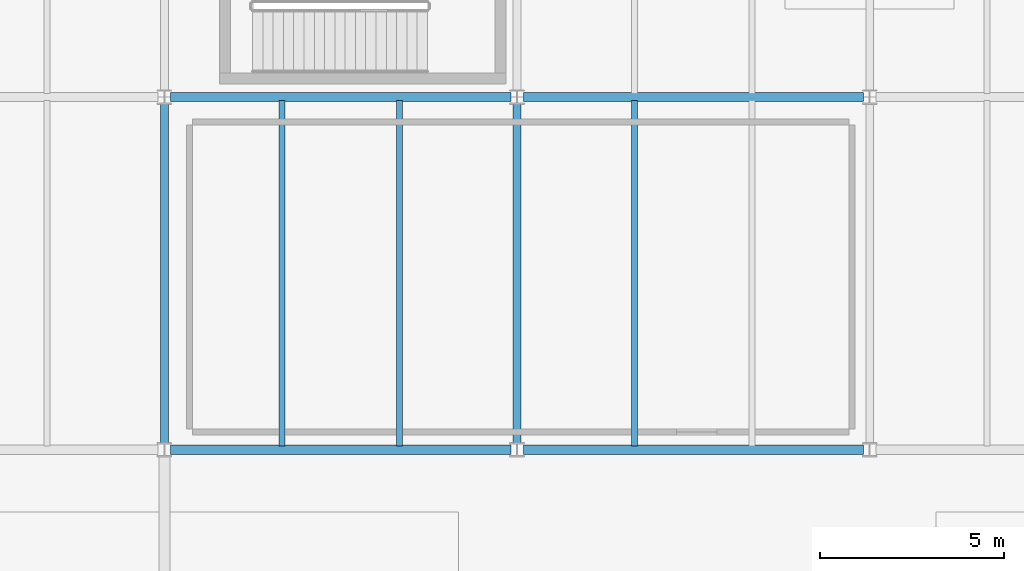
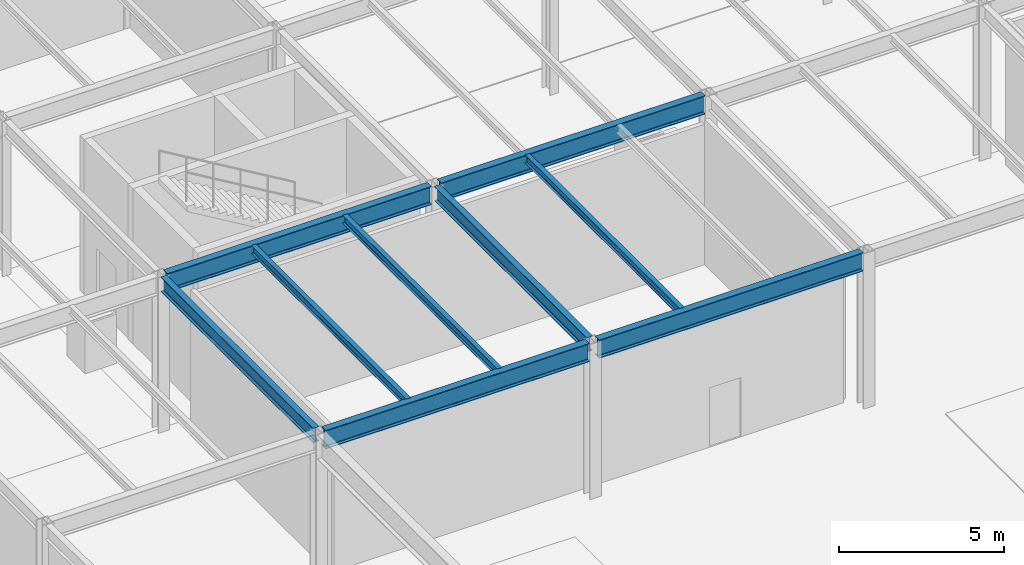
# One storey, part 71 of 142: 9 beams.
"""IFC4 building model written with IfcOpenShell, lengths in metres."""

import ifcopenshell
import ifcopenshell.guid

model = None  # the IFC model being written
_history = None  # IfcOwnerHistory: only IFC2X3 demands one
_inside = {}  # id of a spatial element -> (the spatial element, [elements in it])
_under = {}  # id of a project, library or spatial element -> (it, [spatial elements below it])
_declared = {}  # id of a project -> (the project, [libraries it declares])
_typed = {}  # id of a type object -> (the type object, [elements of that type])
_made_of = {}  # id of a material, layer set ... -> (it, [elements and type objects made of it])


def new_model(schema):
    """Start an empty IFC model of exactly this schema.

    Asked for "IFC4X3", IfcOpenShell would pick the latest addendum, in which some entities
    have other attributes; the version numbers below select the first issue.
    IFC2X3 requires an IfcOwnerHistory on every rooted entity: one is made here for all.
    """
    global model, _history
    if schema == "IFC4X3":
        model = ifcopenshell.file(schema_version=(4, 3, 0, 0))
    else:
        model = ifcopenshell.file(schema=schema)
    _inside.clear()
    _under.clear()
    _declared.clear()
    _typed.clear()
    _made_of.clear()
    _history = None
    if model.schema == "IFC2X3":
        org = make("IfcOrganization", Name="unknown")
        user = make(
            "IfcPersonAndOrganization",
            ThePerson=make("IfcPerson", FamilyName="unknown"),
            TheOrganization=org,
        )
        app = make(
            "IfcApplication",
            ApplicationDeveloper=org,
            Version="unknown",
            ApplicationFullName="unknown",
            ApplicationIdentifier="unknown",
        )
        _history = make(
            "IfcOwnerHistory",
            OwningUser=user,
            OwningApplication=app,
            ChangeAction="ADDED",
            CreationDate=0,
        )
    return model


def make(cls, **values):
    """One entity of the class cls with the attributes given. An attribute that is None is left unset."""
    return model.create_entity(
        cls, **{name: value for name, value in values.items() if value is not None}
    )


def rooted(cls, **values):
    """An entity with a GlobalId (a new one), such as an element, a storey or a relation."""
    return make(cls, GlobalId=ifcopenshell.guid.new(), OwnerHistory=_history, **values)


def si_unit(unit_type, name, prefix=None):
    """IfcSIUnit, for example si_unit("LENGTHUNIT", "METRE", prefix="MILLI")."""
    return make("IfcSIUnit", UnitType=unit_type, Prefix=prefix, Name=name)


def assignment(units):
    """IfcUnitAssignment: the units of a project."""
    return None if units is None else make("IfcUnitAssignment", Units=units)


def point(xyz):
    """IfcCartesianPoint."""
    return None if xyz is None else make("IfcCartesianPoint", Coordinates=xyz)


def direction(xyz):
    """IfcDirection."""
    return None if xyz is None else make("IfcDirection", DirectionRatios=xyz)


def frame(location, z_axis=None, x_axis=None):
    """IfcAxis2Placement3D, a coordinate frame: its origin and axes. An axis left out is left unset."""
    return make(
        "IfcAxis2Placement3D",
        Location=point(location),
        Axis=direction(z_axis),
        RefDirection=direction(x_axis),
    )


def frame_2d(location, x_axis=None):
    """IfcAxis2Placement2D, a coordinate frame in the plane: its origin and x axis."""
    return make(
        "IfcAxis2Placement2D", Location=point(location), RefDirection=direction(x_axis)
    )


def origin():
    """The frame at (0, 0, 0) with its axes left unset."""
    return frame((0.0, 0.0, 0.0))


def origin_2d():
    """The frame at (0, 0) in the plane with its x axis left unset."""
    return frame_2d((0.0, 0.0))


def place(relative_to, where):
    """IfcLocalPlacement: puts the frame where relative to a parent placement (None: the world)."""
    return make(
        "IfcLocalPlacement", PlacementRelTo=relative_to, RelativePlacement=where
    )


def context(
    kind, dimensions, precision=None, world=None, true_north=None, identifier=None
):
    """IfcGeometricRepresentationContext, for example the 3D "Model" context."""
    return make(
        "IfcGeometricRepresentationContext",
        ContextIdentifier=identifier,
        ContextType=kind,
        CoordinateSpaceDimension=dimensions,
        Precision=precision,
        WorldCoordinateSystem=world,
        TrueNorth=true_north,
    )


def subcontext(parent, identifier, kind, view, scale=None):
    """IfcGeometricRepresentationSubContext, for example "Body" below "Model"."""
    return make(
        "IfcGeometricRepresentationSubContext",
        ContextIdentifier=identifier,
        ContextType=kind,
        ParentContext=parent,
        TargetScale=scale,
        TargetView=view,
    )


def project(units=None, contexts=None):
    """IfcProject with its units and contexts."""
    return rooted(
        "IfcProject",
        Name="project",
        RepresentationContexts=contexts,
        UnitsInContext=assignment(units),
    )


def spatial(cls, under=None, at=None, **own):
    """A site, building, storey or space (cls), placed at a placement, below another one or the project."""
    s = rooted(cls, ObjectPlacement=at, **own)
    if under is not None:
        _under.setdefault(under.id(), (under, []))[1].append(s)
    return s


def profile(cls, at=None, kind="AREA", **sizes):
    """A parametric profile (cls). Its sizes go by their IFC names, for example OverallWidth=200.0."""
    return make(cls, ProfileType=kind, Position=at, **sizes)


def i_section(**sizes):
    """IfcIShapeProfileDef."""
    return profile("IfcIShapeProfileDef", **sizes)


def extrude(swept, where, along, depth):
    """IfcExtrudedAreaSolid: the profile swept, set in the frame where, extruded along a direction by depth."""
    return make(
        "IfcExtrudedAreaSolid",
        SweptArea=swept,
        Position=where,
        ExtrudedDirection=direction(along),
        Depth=depth,
    )


def shape(context_of_items, identifier, shape_type, items):
    """IfcShapeRepresentation: the items that make up one representation, for example the "Body"."""
    return make(
        "IfcShapeRepresentation",
        ContextOfItems=context_of_items,
        RepresentationIdentifier=identifier,
        RepresentationType=shape_type,
        Items=items,
    )


def material(Name=None, Category=None):
    """IfcMaterial."""
    return make("IfcMaterial", Name=Name, Category=Category)


def material_profile(
    of_material, cross_section, Name=None, Category=None, Priority=None
):
    """IfcMaterialProfile: a cross section and its material."""
    return make(
        "IfcMaterialProfile",
        Name=Name,
        Material=of_material,
        Profile=cross_section,
        Priority=Priority,
        Category=Category,
    )


def profile_set(profiles, Name=None, composite=None):
    """IfcMaterialProfileSet."""
    return make(
        "IfcMaterialProfileSet",
        Name=Name,
        MaterialProfiles=profiles,
        CompositeProfile=composite,
    )


def made_of(thing, what):
    """Note that an element or type object is made of a material, layer set ...; save() writes the relation."""
    if what is not None:
        _made_of.setdefault(what.id(), (what, []))[1].append(thing)
    return thing


def type_object(cls, material=None, **own):
    """A type object (cls), such as IfcWallType, which elements share."""
    return made_of(rooted(cls, **own), material)


def element(
    cls,
    number,
    at=None,
    inside=None,
    cuts=None,
    type_object=None,
    material=None,
    context=None,
    identifier="Body",
    shape_type=None,
    held_by="IfcProductDefinitionShape",
    body=None,
    shapes=None,
    **own,
):
    """One element of the class cls, such as IfcWall. Its Tag is "e" and its number.

    at: its placement. inside: the storey or other place that contains it. cuts: it is an
    opening in that element (IfcRelVoidsElement). A single representation is given by context,
    identifier, shape_type and body (its items); several are given by shapes. held_by: the class
    of the entity that holds the representations. save() writes the other relations.
    """
    e = rooted(cls, Tag="e%d" % number, ObjectPlacement=at, **own)
    if body is not None:
        shapes = [shape(context, identifier, shape_type, body)]
    if shapes is not None:
        e.Representation = make(held_by, Representations=shapes)
    if inside is not None:
        _inside.setdefault(inside.id(), (inside, []))[1].append(e)
    if cuts is not None:
        rooted(
            "IfcRelVoidsElement", RelatingBuildingElement=cuts, RelatedOpeningElement=e
        )
    if type_object is not None:
        _typed.setdefault(type_object.id(), (type_object, []))[1].append(e)
    return made_of(e, material)


def aggregate(whole, parts):
    """IfcRelAggregates: a whole, such as a stair, and the parts it consists of."""
    return rooted("IfcRelAggregates", RelatingObject=whole, RelatedObjects=parts)


def save(model, path):
    """Write the relations noted so far, then the file.

    IfcRelAggregates (storeys below a building ...), IfcRelContainedInSpatialStructure (elements
    in a storey), IfcRelDefinesByType, IfcRelAssociatesMaterial and IfcRelDeclares: one each for
    every whole, place, type object, material and project.
    """
    for whole, parts in _under.values():
        aggregate(whole, parts)
    for where, things in _inside.values():
        rooted(
            "IfcRelContainedInSpatialStructure",
            RelatedElements=things,
            RelatingStructure=where,
        )
    for kind, things in _typed.values():
        rooted("IfcRelDefinesByType", RelatedObjects=things, RelatingType=kind)
    for what, things in _made_of.values():
        rooted("IfcRelAssociatesMaterial", RelatedObjects=things, RelatingMaterial=what)
    for by, libraries in _declared.values():
        rooted("IfcRelDeclares", RelatingContext=by, RelatedDefinitions=libraries)
    model.write(path)


model = new_model("IFC4")

# Units and contexts
model_context = context("Model", 3, precision=1e-05, world=origin(), true_north=direction((0.0, 1.0)))
body_context = subcontext(model_context, "Body", "Model", "MODEL_VIEW")
ifc_project = project(units=[si_unit("LENGTHUNIT", "METRE"), si_unit("AREAUNIT", "SQUARE_METRE"), si_unit("VOLUMEUNIT", "CUBIC_METRE"), si_unit("PLANEANGLEUNIT", "RADIAN"), si_unit("MASSUNIT", "GRAM", prefix="KILO")], contexts=[model_context])

# Site, building, storey
site_placement = place(None, origin())
site = spatial("IfcSite", under=ifc_project, at=site_placement, CompositionType="ELEMENT")
building_placement = place(site_placement, origin())
building = spatial("IfcBuilding", under=site, at=building_placement, Name="Coralgate Yard Interchange", CompositionType="ELEMENT")
storey_placement = place(building_placement, origin())
storey = spatial("IfcBuildingStorey", under=building, at=storey_placement, Name="L00", CompositionType="ELEMENT", Elevation=0.0)

# Beams
ifc_material = material(Name="Structural steel S355J2", Category="steel")
ifc_material_profile_1 = material_profile(ifc_material, i_section(OverallWidth=0.209228515625, OverallDepth=0.533203125, WebThickness=0.010009765625, FlangeThickness=0.015625, FilletRadius=0.0126953125, at=origin_2d()), Name="UB 533x210x92")
ifc_profile_set_1 = profile_set([ifc_material_profile_1], Name="Structural steel S355J2")
beam_type_1 = type_object("IfcBeamType", Name="BM-SB-1", PredefinedType="BEAM", material=ifc_profile_set_1)
for number, where, z_axis, x_axis, name in (
    (1, (48.0, 67.36669921875, 5.4833984375), (0.0, 1.0, 0.0), (-1.0, 0.0, 0.0), "L00 primary grid girder X5 Y7-8"),
    (2, (57.60009765625, 67.36669921875, 5.4833984375), (0.0, 1.0, 0.0), (-1.0, 0.0, 0.0), "L00 primary grid girder X6 Y7-8"),
):
    element("IfcBeam", number, at=place(storey_placement, frame(where, z_axis=z_axis, x_axis=x_axis)), inside=storey, type_object=beam_type_1, Name=name, PredefinedType="BEAM", context=body_context, shape_type="SweptSolid", body=[
        extrude(i_section(OverallWidth=0.209228515625, OverallDepth=0.533203125, WebThickness=0.010009765625, FlangeThickness=0.015625, FilletRadius=0.0126953125, at=origin_2d()), origin(), (0.0, 0.0, 1.0), 9.2666015625),
    ])
ifc_material_profile_2 = material_profile(ifc_material, i_section(OverallWidth=0.253662109375, OverallDepth=0.68359375, WebThickness=0.012451171875, FlangeThickness=0.01904296875, FilletRadius=0.01513671875, at=origin_2d()), Name="UB 686x254x140")
ifc_profile_set_2 = profile_set([ifc_material_profile_2], Name="Structural steel S355J2")
beam_type_2 = type_object("IfcBeamType", Name="BM-SG-4", PredefinedType="BEAM", material=ifc_profile_set_2)
for number, where, z_axis, x_axis, name in (
    (3, (48.16943359375, 67.199951171875, 5.408203125), (1.0, 0.0, 0.0), (0.0, 1.0, 0.0), "L00 primary grid beam Y7 X5-6"),
    (4, (57.76953125, 67.199951171875, 5.408203125), (1.0, 0.0, 0.0), (0.0, 1.0, 0.0), "L00 primary grid beam Y7 X6-7"),
    (5, (48.16943359375, 76.800048828125, 5.408203125), (1.0, 0.0, 0.0), (0.0, 1.0, 0.0), "L00 primary grid beam Y8 X5-6"),
    (6, (57.76953125, 76.800048828125, 5.408203125), (1.0, 0.0, 0.0), (0.0, 1.0, 0.0), "L00 primary grid beam Y8 X6-7"),
):
    element("IfcBeam", number, at=place(storey_placement, frame(where, z_axis=z_axis, x_axis=x_axis)), inside=storey, type_object=beam_type_2, Name=name, PredefinedType="BEAM", context=body_context, shape_type="SweptSolid", body=[
        extrude(i_section(OverallWidth=0.253662109375, OverallDepth=0.68359375, WebThickness=0.012451171875, FlangeThickness=0.01904296875, FilletRadius=0.01513671875, at=origin_2d()), origin(), (0.0, 0.0, 1.0), 9.260986328125),
    ])
ifc_material_profile_3 = material_profile(ifc_material, i_section(OverallWidth=0.1650390625, OverallDepth=0.303466796875, WebThickness=0.006103515625, FlangeThickness=0.01025390625, FilletRadius=0.0087890625, at=origin_2d()), Name="UB 305x165x40")
ifc_profile_set_3 = profile_set([ifc_material_profile_3], Name="Structural steel S355J2")
beam_type_3 = type_object("IfcBeamType", Name="BM-SJ-1", PredefinedType="JOIST", material=ifc_profile_set_3)
for number, where, z_axis, x_axis, name in (
    (7, (51.199951171875, 67.296875, 5.598388671875), (0.0, 1.0, 0.0), (-1.0, 0.0, 0.0), "L00 composite floor joist 5-7-1"),
    (8, (54.39990234375, 67.296875, 5.598388671875), (0.0, 1.0, 0.0), (-1.0, 0.0, 0.0), "L00 composite floor joist 5-7-2"),
    (9, (60.800048828125, 67.296875, 5.598388671875), (0.0, 1.0, 0.0), (-1.0, 0.0, 0.0), "L00 composite floor joist 6-7-1"),
):
    element("IfcBeam", number, at=place(storey_placement, frame(where, z_axis=z_axis, x_axis=x_axis)), inside=storey, type_object=beam_type_3, Name=name, PredefinedType="JOIST", context=body_context, shape_type="SweptSolid", body=[
        extrude(i_section(OverallWidth=0.1650390625, OverallDepth=0.303466796875, WebThickness=0.006103515625, FlangeThickness=0.01025390625, FilletRadius=0.0087890625, at=origin_2d()), origin(), (0.0, 0.0, 1.0), 9.40625),
    ])

save(model, "model.ifc")
